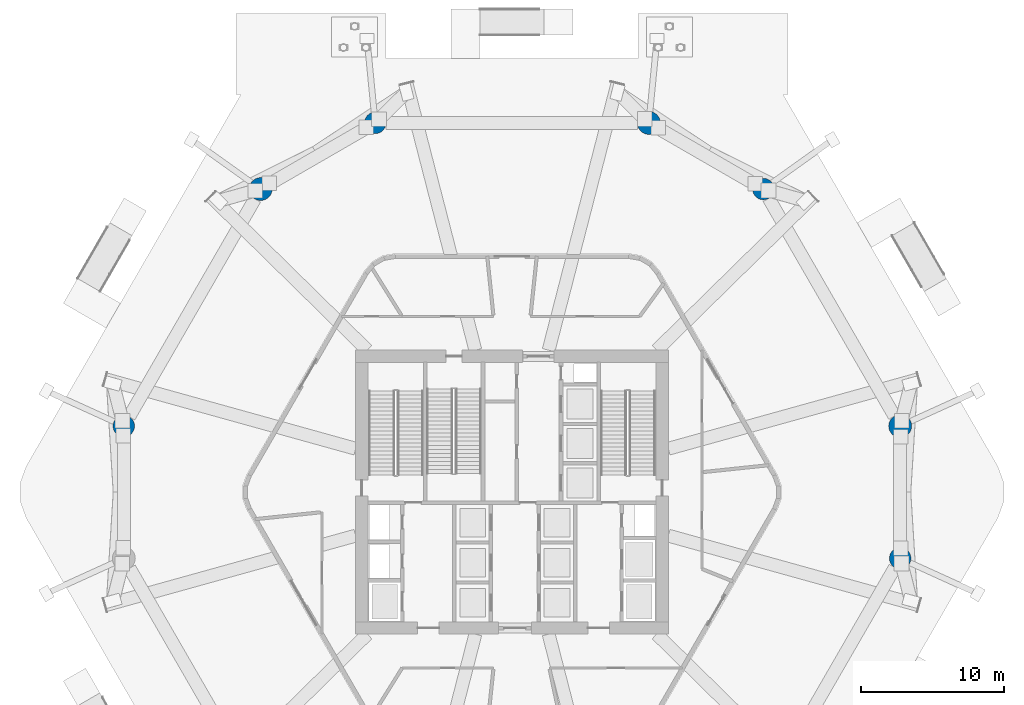
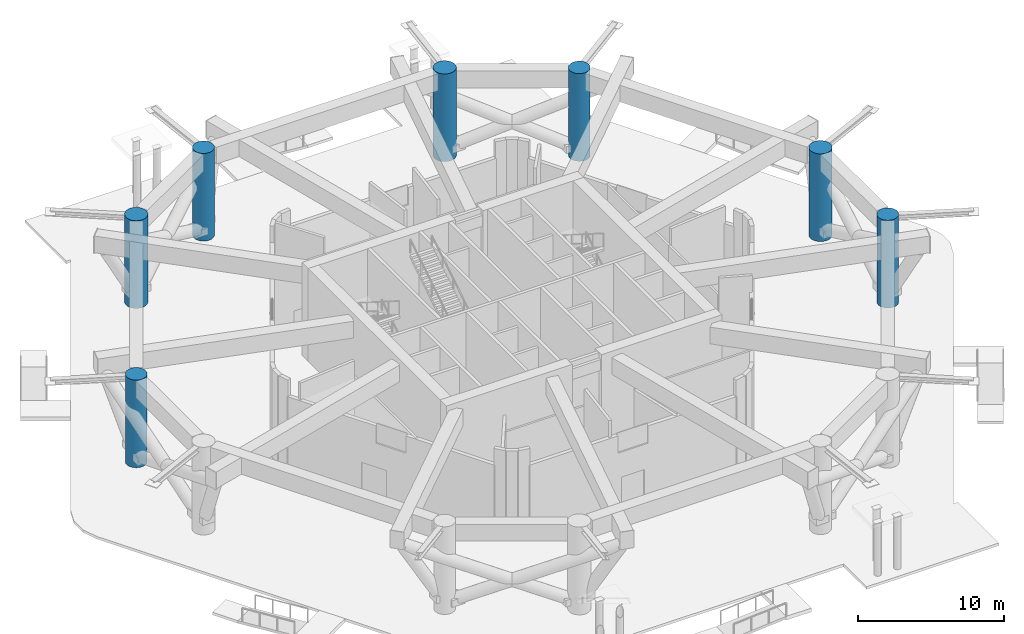
# One storey, part 2 of 17: 7 columns.
"""IFC4 building model written with IfcOpenShell, lengths in metres."""

from ifc_helpers import new_model, si_unit, direction, frame, origin, origin_2d, place, context, subcontext, project, spatial, circle, extrude, material, material_profile, profile_set, type_object, element, save


model = new_model("IFC4")

# Units and contexts
model_context = context("Model", 3, precision=1e-05, world=origin(), true_north=direction((0.0, 1.0)))
body_context = subcontext(model_context, "Body", "Model", "MODEL_VIEW")
ifc_project = project(units=[si_unit("LENGTHUNIT", "METRE"), si_unit("AREAUNIT", "SQUARE_METRE"), si_unit("VOLUMEUNIT", "CUBIC_METRE"), si_unit("PLANEANGLEUNIT", "RADIAN"), si_unit("MASSUNIT", "GRAM", prefix="KILO")], contexts=[model_context])

# Site, building, storey
site_placement = place(None, origin())
site = spatial("IfcSite", under=ifc_project, at=site_placement, CompositionType="ELEMENT")
building_placement = place(site_placement, origin())
building = spatial("IfcBuilding", under=site, at=building_placement, Name="Zuhravey Tower", CompositionType="ELEMENT")
storey_placement = place(building_placement, origin())
storey = spatial("IfcBuildingStorey", under=building, at=storey_placement, Name="L01", CompositionType="ELEMENT", Elevation=0.0)

# Columns
ifc_material = material(Name="Concrete C60/75", Category="concrete")
ifc_material_profile_1 = material_profile(ifc_material, circle(Radius=0.75, at=origin_2d()), Name="RC-CIRC-1500")
ifc_profile_set_1 = profile_set([ifc_material_profile_1], Name="Concrete C60/75")
column_type_1 = type_object("IfcColumnType", Name="Stilt Pier C1500", PredefinedType="USERDEFINED", material=ifc_profile_set_1)
for number, where, z_axis, x_axis, name in (
    (1, (53.568115234375, 53.1865234375, 0.0), (0.0, 0.0, 1.0), (1.0, 0.0, 0.0), "L01 Monumental Concrete Stilt 02"),
    (2, (26.43603515625, 57.8076171875, 0.0), (0.0, 0.0, 1.0), (1.0, 0.0, 0.0), "L01 Monumental Concrete Stilt 04"),
    (3, (8.867919921875, 36.62109375, 0.0), (0.0, 0.0, 1.0), (1.0, 0.0, 0.0), "L01 Monumental Concrete Stilt 06"),
    (4, (63.132080078125, 27.37890625, 0.0), (0.0, 0.0, 1.0), (1.0, 0.0, 0.0), "L01 Monumental Concrete Stilt 12"),
):
    element("IfcColumn", number, at=place(storey_placement, frame(where, z_axis=z_axis, x_axis=x_axis)), inside=storey, type_object=column_type_1, Name=name, ObjectType="STILT_COLUMN", PredefinedType="USERDEFINED", context=body_context, shape_type="SweptSolid", body=[
        extrude(circle(Radius=0.75, at=origin_2d()), origin(), (0.0, 0.0, 1.0), 7.35009765625),
    ])
ifc_material_profile_2 = material_profile(ifc_material, circle(Radius=0.800048828125, at=origin_2d()), Name="RC-CIRC-1600")
ifc_profile_set_2 = profile_set([ifc_material_profile_2], Name="Concrete C60/75")
column_type_2 = type_object("IfcColumnType", Name="Stilt Pier C1600", PredefinedType="USERDEFINED", material=ifc_profile_set_2)
for number, where, z_axis, x_axis, name in (
    (5, (63.132080078125, 36.62109375, 0.0), (0.0, 0.0, 1.0), (1.0, 0.0, 0.0), "L01 Monumental Concrete Stilt 01"),
    (6, (45.56396484375, 57.8076171875, 0.0), (0.0, 0.0, 1.0), (1.0, 0.0, 0.0), "L01 Monumental Concrete Stilt 03"),
    (7, (18.431884765625, 53.1865234375, 0.0), (0.0, 0.0, 1.0), (1.0, 0.0, 0.0), "L01 Monumental Concrete Stilt 05"),
):
    element("IfcColumn", number, at=place(storey_placement, frame(where, z_axis=z_axis, x_axis=x_axis)), inside=storey, type_object=column_type_2, Name=name, ObjectType="STILT_COLUMN", PredefinedType="USERDEFINED", context=body_context, shape_type="SweptSolid", body=[
        extrude(circle(Radius=0.800048828125, at=origin_2d()), origin(), (0.0, 0.0, 1.0), 7.35009765625),
    ])

save(model, "model.ifc")
